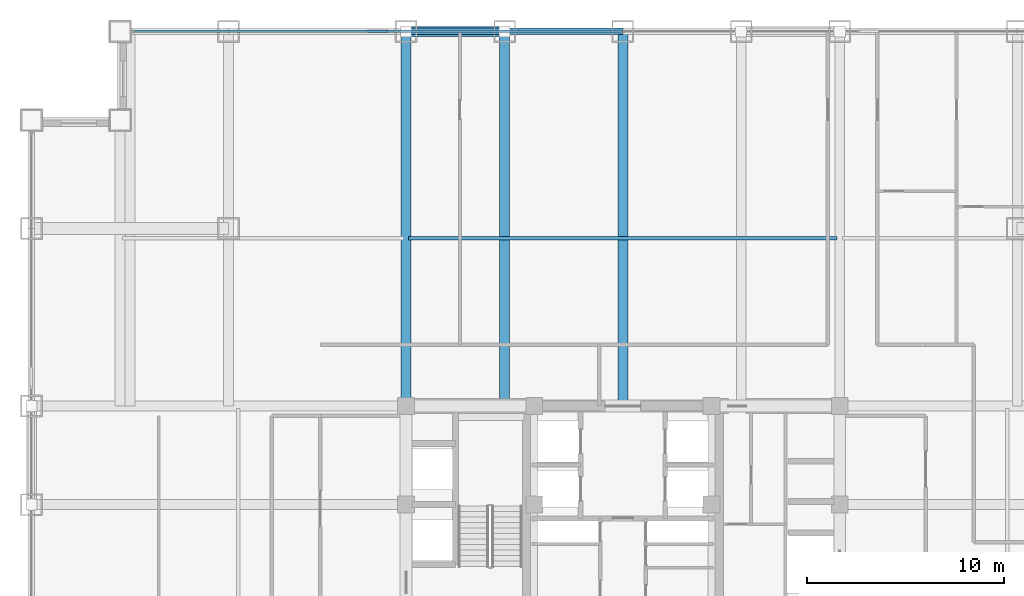
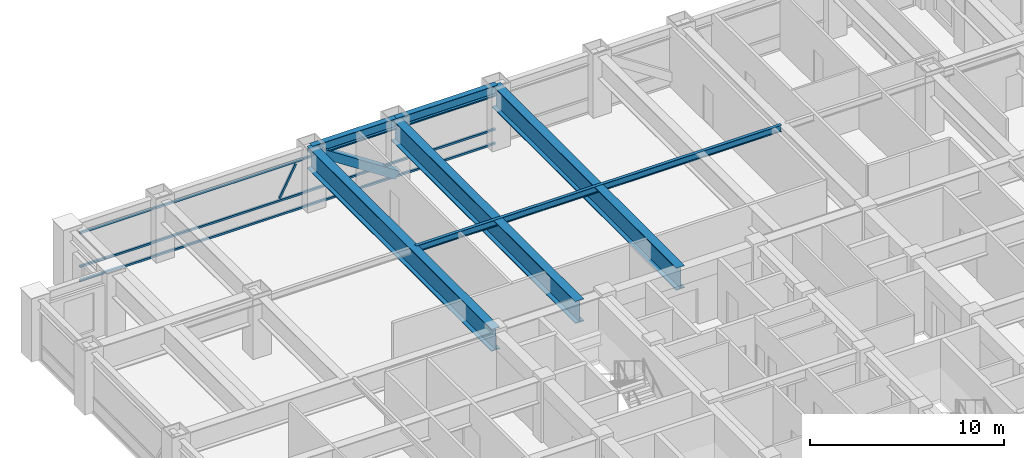
# One storey, part 15 of 26: 6 beams, 5 members, 1 element without a shape of its own.
"""IFC4 building model written with IfcOpenShell, lengths in metres."""

from ifc_helpers import new_model, si_unit, direction, frame, origin, origin_2d, place, context, subcontext, project, spatial, hollow_rectangle, i_section, extrude, source, transform, mapped, material, material_profile, profile_set, type_object, element, aggregate, save


model = new_model("IFC4")

# Units and contexts
model_context = context("Model", 3, precision=1e-05, world=origin(), true_north=direction((0.0, 1.0)))
body_context = subcontext(model_context, "Body", "Model", "MODEL_VIEW")
ifc_project = project(units=[si_unit("LENGTHUNIT", "METRE"), si_unit("AREAUNIT", "SQUARE_METRE"), si_unit("VOLUMEUNIT", "CUBIC_METRE"), si_unit("PLANEANGLEUNIT", "RADIAN"), si_unit("MASSUNIT", "GRAM", prefix="KILO")], contexts=[model_context])

# Site, building, storey
site_placement = place(None, origin())
site = spatial("IfcSite", under=ifc_project, at=site_placement, CompositionType="ELEMENT")
building_placement = place(site_placement, origin())
building = spatial("IfcBuilding", under=site, at=building_placement, Name="Khorayat Bourse Tower", CompositionType="ELEMENT")
storey_placement = place(building_placement, frame((0.0, 0.0, 207.10009765625)))
storey = spatial("IfcBuildingStorey", under=building, at=storey_placement, Name="L48", CompositionType="ELEMENT", Elevation=207.10009765625)

# Beams
ifc_material_1 = material(Name="Steel ASTM A992 Grade 50", Category="steel")
ifc_material_profile_1 = material_profile(ifc_material_1, i_section(OverallWidth=0.180908203125, OverallDepth=0.4169921875, WebThickness=0.010986328125, FlangeThickness=0.018310546875, FilletRadius=0.011962890625, at=origin_2d()), Name="W410X85")
ifc_profile_set_1 = profile_set([ifc_material_profile_1], Name="Steel ASTM A992 Grade 50")
beam_type_1 = type_object("IfcBeamType", Name="BM-JOIST-410", PredefinedType="JOIST", material=ifc_profile_set_1)
shared_shape_1 = source(origin(), body_context, "Body", "SweptSolid", [
    extrude(i_section(OverallWidth=0.180908203125, OverallDepth=0.4169921875, WebThickness=0.010986328125, FlangeThickness=0.018310546875, FilletRadius=0.011962890625, at=origin_2d()), origin(), (0.0, 0.0, 1.0), 21.740234375),
])
beam_1_placement = place(storey_placement, frame((-10.8701171875, 19.5, 3.5712890625), z_axis=(1.0, 0.0, 0.0), x_axis=(0.0, 1.0, 0.0)))
element("IfcBeam", 1, at=beam_1_placement, inside=storey, type_object=beam_type_1, Name="L48 BM-JOIST-410 BM-L48-JSTX-108", PredefinedType="JOIST", context=body_context, shape_type="MappedRepresentation", body=[
    mapped(shared_shape_1, transform((0.0, 0.0, 0.0), scale=1.0)),
])
ifc_material_profile_2 = material_profile(ifc_material_1, i_section(OverallWidth=0.324951171875, OverallDepth=0.615966796875, WebThickness=0.013916015625, FlangeThickness=0.021484375, FilletRadius=0.01611328125, at=origin_2d()), Name="W610X174")
ifc_profile_set_2 = profile_set([ifc_material_profile_2], Name="Steel ASTM A992 Grade 50")
beam_type_2 = type_object("IfcBeamType", Name="BM-SPAN-610", PredefinedType="SPANDREL", material=ifc_profile_set_2)
shared_shape_2 = source(origin(), body_context, "Body", "SweptSolid", [
    extrude(i_section(OverallWidth=0.324951171875, OverallDepth=0.615966796875, WebThickness=0.013916015625, FlangeThickness=0.021484375, FilletRadius=0.01611328125, at=origin_2d()), origin(), (0.0, 0.0, 1.0), 5.0),
])
beam_2_placement = place(storey_placement, frame((-11.0, 30.0, 3.471923828125), z_axis=(1.0, 0.0, 0.0), x_axis=(0.0, 1.0, 0.0)))
element("IfcBeam", 2, at=beam_2_placement, inside=storey, type_object=beam_type_2, Name="L48 BM-SPAN-610 BM-L48-SPN-049", PredefinedType="SPANDREL", context=body_context, shape_type="MappedRepresentation", body=[
    mapped(shared_shape_2, transform((0.0, 0.0, 0.0), scale=1.0)),
])
shared_shape_3 = source(origin(), body_context, "Body", "SweptSolid", [
    extrude(i_section(OverallWidth=0.324951171875, OverallDepth=0.615966796875, WebThickness=0.013916015625, FlangeThickness=0.021484375, FilletRadius=0.01611328125, at=origin_2d()), origin(), (0.0, 0.0, 1.0), 6.0),
])
beam_3_placement = place(storey_placement, frame((-6.0, 30.0, 3.471923828125), z_axis=(1.0, 0.0, 0.0), x_axis=(0.0, 1.0, 0.0)))
element("IfcBeam", 3, at=beam_3_placement, inside=storey, type_object=beam_type_2, Name="L48 BM-SPAN-610 BM-L48-SPN-048", PredefinedType="SPANDREL", context=body_context, shape_type="MappedRepresentation", body=[
    mapped(shared_shape_3, transform((0.0, 0.0, 0.0), scale=1.0)),
])

# Member
ifc_material_2 = material(Name="Steel EN 10025-4 S460M", Category="steel")
ifc_material_profile_3 = material_profile(ifc_material_2, hollow_rectangle(XDim=0.5, YDim=0.5, WallThickness=0.028076171875, at=origin_2d()), Name="HSS 500x500x28")
ifc_profile_set_3 = profile_set([ifc_material_profile_3], Name="Steel EN 10025-4 S460M")
member_type_1 = type_object("IfcMemberType", Name="MBR-TUBE-500", PredefinedType="BRACE", material=ifc_profile_set_3)
shared_shape_4 = source(origin(), body_context, "Body", "SweptSolid", [
    extrude(hollow_rectangle(XDim=0.5, YDim=0.5, WallThickness=0.028076171875, at=origin_2d()), origin(), (0.0, 0.0, 1.0), 5.979736328125),
])
member_1_placement = place(storey_placement, frame((-11.0, 30.0, 3.52978515625), z_axis=(0.836160261256, 0.0, -0.548485202623), x_axis=(0.0, 1.0, 0.0)))
element("IfcMember", 4, at=member_1_placement, inside=storey, type_object=member_type_1, Name="L48 Perimeter Tube Brace 03", PredefinedType="BRACE", context=body_context, shape_type="MappedRepresentation", body=[
    mapped(shared_shape_4, transform((0.0, 0.0, 0.0), scale=1.0)),
])

# Beams
ifc_material_profile_4 = material_profile(ifc_material_2, i_section(OverallWidth=0.5, OverallDepth=1.39990234375, WebThickness=0.02490234375, FlangeThickness=0.050048828125, at=origin_2d()), Name="PG 1400x500x25x50")
ifc_profile_set_4 = profile_set([ifc_material_profile_4], Name="Steel EN 10025-4 S460M")
beam_type_3 = type_object("IfcBeamType", Name="BM-TR-1400", PredefinedType="BEAM", material=ifc_profile_set_4)
shared_shape_5 = source(origin(), body_context, "Body", "SweptSolid", [
    extrude(i_section(OverallWidth=0.5, OverallDepth=1.39990234375, WebThickness=0.02490234375, FlangeThickness=0.050048828125, at=origin_2d()), origin(), (0.0, 0.0, 1.0), 19.0),
])
for number, where, z_axis, x_axis, name in (
    (5, (-11.0, 11.0, 3.079833984375), (0.0, 1.0, 0.0), (-1.0, 0.0, 0.0), "L48 BM-TR-1400 BM-L48-RADY-064"),
    (6, (-6.0, 11.0, 3.079833984375), (0.0, 1.0, 0.0), (-1.0, 0.0, 0.0), "L48 BM-TR-1400 BM-L48-RADY-066"),
    (7, (0.0, 11.0, 3.079833984375), (0.0, 1.0, 0.0), (-1.0, 0.0, 0.0), "L48 BM-TR-1400 BM-L48-RADY-068"),
):
    element("IfcBeam", number, at=place(storey_placement, frame(where, z_axis=z_axis, x_axis=x_axis)), inside=storey, type_object=beam_type_3, Name=name, PredefinedType="BEAM", context=body_context, shape_type="MappedRepresentation", body=[
        mapped(shared_shape_5, transform((0.0, 0.0, 0.0), scale=1.0)),
    ])

# Curtain wall, members
ifc_material_3 = material(Name="Aluminium EN AW-6063 T6", Category="aluminium")
curtain_wall_type = type_object("IfcCurtainWallType", Name="CW-SYS-03", PredefinedType="NOTDEFINED", material=ifc_material_3)
curtain_wall_placement = place(storey_placement, origin())
curtain_wall = element("IfcCurtainWall", 8, at=curtain_wall_placement, inside=storey, type_object=curtain_wall_type, Name="L48 Curtain Wall CW-L48-N1", PredefinedType="NOTDEFINED")
ifc_material_profile_5 = material_profile(ifc_material_3, hollow_rectangle(XDim=0.1201171875, YDim=0.1201171875, WallThickness=0.0048828125, at=origin_2d()), Name="ALU 120x120x5")
ifc_profile_set_5 = profile_set([ifc_material_profile_5], Name="Aluminium EN AW-6063 T6")
member_type_2 = type_object("IfcMemberType", Name="CWM-DIAG-120", PredefinedType="MULLION", material=ifc_profile_set_5)
shared_shape_6 = source(origin(), body_context, "Body", "SweptSolid", [
    extrude(hollow_rectangle(XDim=0.1201171875, YDim=0.1201171875, WallThickness=0.0048828125, at=origin_2d()), origin(), (0.0, 0.0, 1.0), 2.079345703125),
])
member_2_placement = place(storey_placement, frame((-12.904296875, 30.0, 1.08984375), z_axis=(0.465760949701, 0.0, 0.884910581773), x_axis=(0.0, 1.0, 0.0)))
member_2 = element("IfcMember", 9, at=member_2_placement, type_object=member_type_2, Name="CW-L48-N1 Faceted Diagonal Mullion 1", PredefinedType="MULLION", context=body_context, shape_type="MappedRepresentation", body=[
    mapped(shared_shape_6, transform((0.0, 0.0, 0.0), scale=1.0)),
])
ifc_material_profile_6 = material_profile(ifc_material_3, hollow_rectangle(XDim=0.1201171875, YDim=0.1201171875, WallThickness=0.0048828125, at=origin_2d()), Name="ALU 120x120x5")
ifc_profile_set_6 = profile_set([ifc_material_profile_6], Name="Aluminium EN AW-6063 T6")
member_type_3 = type_object("IfcMemberType", Name="CWT-HORZ-120", PredefinedType="USERDEFINED", material=ifc_profile_set_6)
shared_shape_7 = source(origin(), body_context, "Body", "SweptSolid", [
    extrude(hollow_rectangle(XDim=0.1201171875, YDim=0.1201171875, WallThickness=0.0048828125, at=origin_2d()), origin(), (0.0, 0.0, 1.0), 24.719970703125),
])
member_3_placement = place(storey_placement, frame((-24.780029296875, 30.0, 0.059814453125), z_axis=(1.0, 0.0, 0.0), x_axis=(0.0, 1.0, 0.0)))
member_3 = element("IfcMember", 10, at=member_3_placement, type_object=member_type_3, Name="CW-L48-N1 Horizontal Transom 1-1", ObjectType="TRANSOM", PredefinedType="USERDEFINED", context=body_context, shape_type="MappedRepresentation", body=[
    mapped(shared_shape_7, transform((0.0, 0.0, 0.0), scale=1.0)),
])
member_4_placement = place(storey_placement, frame((-24.780029296875, 30.0, 0.949951171875), z_axis=(1.0, 0.0, 0.0), x_axis=(0.0, 1.0, 0.0)))
member_4 = element("IfcMember", 11, at=member_4_placement, type_object=member_type_3, Name="CW-L48-N1 Horizontal Transom 1-2", ObjectType="TRANSOM", PredefinedType="USERDEFINED", context=body_context, shape_type="MappedRepresentation", body=[
    mapped(shared_shape_7, transform((0.0, 0.0, 0.0), scale=1.0)),
])
member_5_placement = place(storey_placement, frame((-24.780029296875, 30.0, 3.06982421875), z_axis=(1.0, 0.0, 0.0), x_axis=(0.0, 1.0, 0.0)))
member_5 = element("IfcMember", 12, at=member_5_placement, type_object=member_type_3, Name="CW-L48-N1 Horizontal Transom 1-3", ObjectType="TRANSOM", PredefinedType="USERDEFINED", context=body_context, shape_type="MappedRepresentation", body=[
    mapped(shared_shape_7, transform((0.0, 0.0, 0.0), scale=1.0)),
])
aggregate(curtain_wall, [member_3, member_4, member_5, member_2])

save(model, "model.ifc")
